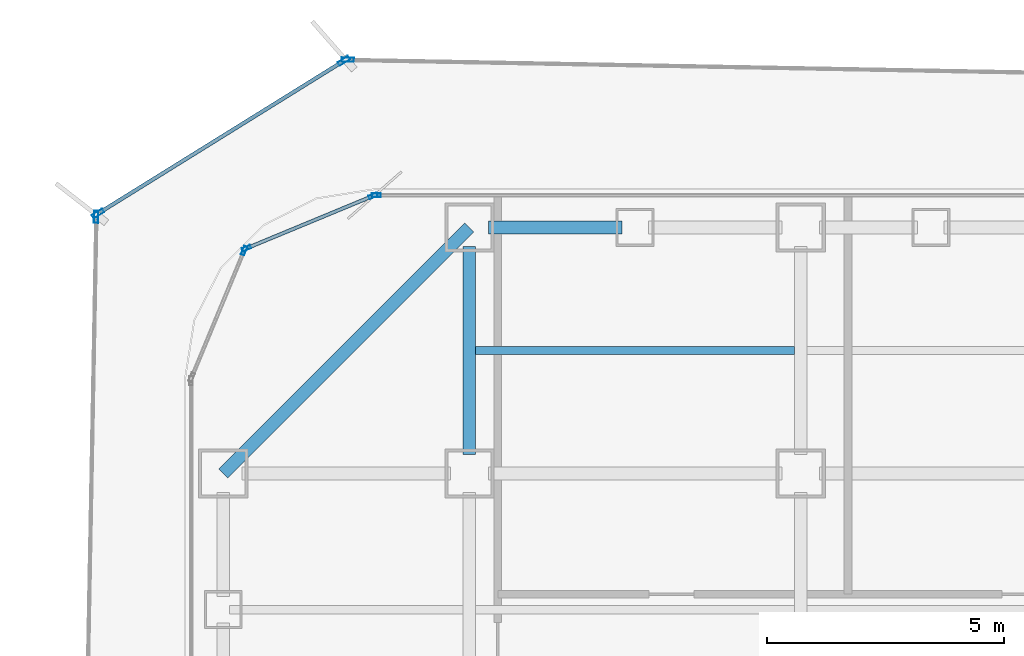
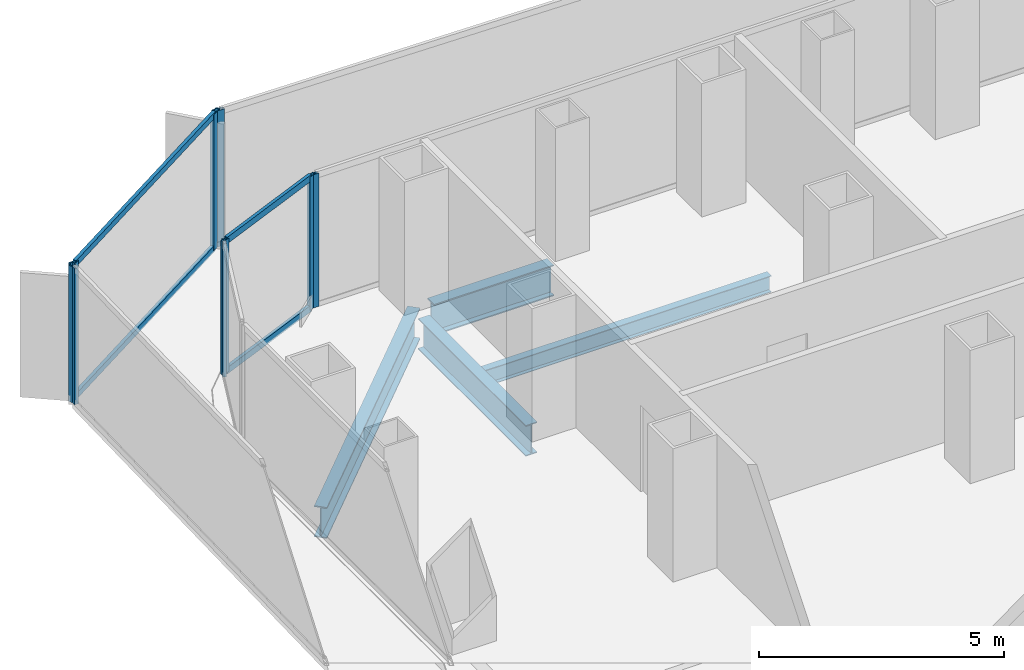
# One storey, part 11 of 22: 12 members, 4 beams, 6 elements without a shape of their own.
"""IFC4 building model written with IfcOpenShell, lengths in metres."""

from ifc_helpers import new_model, si_unit, direction, frame, origin, origin_2d, place, context, subcontext, project, spatial, hollow_rectangle, i_section, extrude, source, transform, mapped, material, layer, layer_set, material_profile, profile_set, type_object, element, aggregate, save


model = new_model("IFC4")

# Units and contexts
model_context = context("Model", 3, precision=1e-05, world=origin(), true_north=direction((0.0, 1.0)))
body_context = subcontext(model_context, "Body", "Model", "MODEL_VIEW")
ifc_project = project(units=[si_unit("LENGTHUNIT", "METRE"), si_unit("AREAUNIT", "SQUARE_METRE"), si_unit("VOLUMEUNIT", "CUBIC_METRE"), si_unit("PLANEANGLEUNIT", "RADIAN"), si_unit("MASSUNIT", "GRAM", prefix="KILO")], contexts=[model_context])

# Site, building, storey
site_placement = place(None, origin())
site = spatial("IfcSite", under=ifc_project, at=site_placement, CompositionType="ELEMENT")
building_placement = place(site_placement, origin())
building = spatial("IfcBuilding", under=site, at=building_placement, Name="Kolveth Station Tower", CompositionType="ELEMENT")
storey_placement = place(building_placement, frame((0.0, 0.0, 81.0)))
storey = spatial("IfcBuildingStorey", under=building, at=storey_placement, Name="L21", CompositionType="ELEMENT", Elevation=81.0)

# Beams
ifc_material_1 = material(Name="Steel S355", Category="steel")
ifc_material_profile_1 = material_profile(ifc_material_1, i_section(OverallWidth=0.26904296875, OverallDepth=0.77490234375, WebThickness=0.01708984375, FlangeThickness=0.0283203125, at=origin_2d()), Name="W760x220")
ifc_profile_set_1 = profile_set([ifc_material_profile_1], Name="Steel S355")
beam_type_1 = type_object("IfcBeamType", Name="Beam_SP1", PredefinedType="SPANDREL", material=ifc_profile_set_1)
shared_shape_1 = source(origin(), body_context, "Body", "SweptSolid", [
    extrude(i_section(OverallWidth=0.26904296875, OverallDepth=0.77490234375, WebThickness=0.01708984375, FlangeThickness=0.0283203125, at=origin_2d()), origin(), (0.0, 0.0, 1.0), 7.353759765625),
])
beam_1_placement = place(storey_placement, frame((6.0, 39.699951171875, -0.66748046875), z_axis=(-0.707106781187, -0.707106781187, 0.0), x_axis=(0.707106781187, -0.707106781187, 0.0)))
element("IfcBeam", 1, at=beam_1_placement, inside=storey, type_object=beam_type_1, Name="L21 Corner Edge Girder BM-L21-CNR-NW", PredefinedType="SPANDREL", context=body_context, shape_type="MappedRepresentation", body=[
    mapped(shared_shape_1, transform((0.0, 0.0, 0.0), x_axis=(1.0, 0.0, 0.0), y_axis=(0.0, 1.0, 0.0), z_axis=(0.0, 0.0, 1.0), scale=1.0)),
])
shared_shape_2 = source(origin(), body_context, "Body", "SweptSolid", [
    extrude(i_section(OverallWidth=0.26904296875, OverallDepth=0.77490234375, WebThickness=0.01708984375, FlangeThickness=0.0283203125, at=origin_2d()), origin(), (0.0, 0.0, 1.0), 2.820068359375),
])
beam_2_placement = place(storey_placement, frame((6.39990234375, 39.699951171875, -0.66748046875), z_axis=(1.0, 0.0, 0.0), x_axis=(0.0, 1.0, 0.0)))
element("IfcBeam", 2, at=beam_2_placement, inside=storey, type_object=beam_type_1, Name="L21 Perimeter Spandrel BM-L21-PN-1", PredefinedType="SPANDREL", context=body_context, shape_type="MappedRepresentation", body=[
    mapped(shared_shape_2, transform((0.0, 0.0, 0.0), x_axis=(1.0, 0.0, 0.0), y_axis=(0.0, 1.0, 0.0), z_axis=(0.0, 0.0, 1.0), scale=1.0)),
])
ifc_material_profile_2 = material_profile(ifc_material_1, i_section(OverallWidth=0.26708984375, OverallDepth=0.76611328125, WebThickness=0.014892578125, FlangeThickness=0.023681640625, at=origin_2d()), Name="W760x185")
ifc_profile_set_2 = profile_set([ifc_material_profile_2], Name="Steel S355")
beam_type_2 = type_object("IfcBeamType", Name="Beam_B3", PredefinedType="BEAM", material=ifc_profile_set_2)
shared_shape_3 = source(origin(), body_context, "Body", "SweptSolid", [
    extrude(i_section(OverallWidth=0.26708984375, OverallDepth=0.76611328125, WebThickness=0.014892578125, FlangeThickness=0.023681640625, at=origin_2d()), origin(), (0.0, 0.0, 1.0), 4.400146484375),
])
beam_3_placement = place(storey_placement, frame((6.0, 34.89990234375, -0.6630859375), z_axis=(0.0, 1.0, 0.0), x_axis=(-1.0, 0.0, 0.0)))
element("IfcBeam", 3, at=beam_3_placement, inside=storey, type_object=beam_type_2, Name="L21 Primary Girder BM-L21-GX60-7", PredefinedType="BEAM", context=body_context, shape_type="MappedRepresentation", body=[
    mapped(shared_shape_3, transform((0.0, 0.0, 0.0), x_axis=(1.0, 0.0, 0.0), y_axis=(0.0, 1.0, 0.0), z_axis=(0.0, 0.0, 1.0), scale=1.0)),
])
ifc_material_profile_3 = material_profile(ifc_material_1, i_section(OverallWidth=0.177978515625, OverallDepth=0.406982421875, WebThickness=0.0078125, FlangeThickness=0.0126953125, at=origin_2d()), Name="W410x60")
ifc_profile_set_3 = profile_set([ifc_material_profile_3], Name="Steel S355")
beam_type_3 = type_object("IfcBeamType", Name="Beam_J1", PredefinedType="JOIST", material=ifc_profile_set_3)
shared_shape_4 = source(origin(), body_context, "Body", "SweptSolid", [
    extrude(i_section(OverallWidth=0.177978515625, OverallDepth=0.406982421875, WebThickness=0.0078125, FlangeThickness=0.0126953125, at=origin_2d()), origin(), (0.0, 0.0, 1.0), 6.73681640625),
])
beam_4_placement = place(storey_placement, frame((6.131591796875, 37.10009765625, -0.4833984375), z_axis=(1.0, 0.0, 0.0), x_axis=(0.0, 1.0, 0.0)))
element("IfcBeam", 4, at=beam_4_placement, inside=storey, type_object=beam_type_3, Name="L21 Secondary Joist JST-L21-2-7", PredefinedType="JOIST", context=body_context, shape_type="MappedRepresentation", body=[
    mapped(shared_shape_4, transform((0.0, 0.0, 0.0), x_axis=(1.0, 0.0, 0.0), y_axis=(0.0, 1.0, 0.0), z_axis=(0.0, 0.0, 1.0), scale=1.0)),
])

# Curtain wall, member
ifc_material_2 = material(Name="Aluminium 6063-T6 and low-E dark glass", Category="aluminium")
ifc_layer_1 = layer(ifc_material_2, 0.179931640625)
ifc_layer_set_1 = layer_set([ifc_layer_1], Name="Aluminium 6063-T6 and low-E dark glass")
curtain_wall_type_1 = type_object("IfcCurtainWallType", Name="CurtainWall_CW-Z1", PredefinedType="NOTDEFINED", material=ifc_layer_set_1)
curtain_wall_1_placement = place(storey_placement, origin())
curtain_wall_1 = element("IfcCurtainWall", 5, at=curtain_wall_1_placement, inside=storey, type_object=curtain_wall_type_1, Name="L21 Inner Thermal Curtain Wall 6", PredefinedType="NOTDEFINED")
ifc_material_3 = material(Name="Black anodized aluminium 6063-T6", Category="aluminium")
ifc_material_profile_4 = material_profile(ifc_material_3, hollow_rectangle(XDim=0.074951171875, YDim=0.18994140625, WallThickness=0.0048828125, at=origin_2d()), Name="ALU-75x190x5")
ifc_profile_set_4 = profile_set([ifc_material_profile_4], Name="Black anodized aluminium 6063-T6")
member_type_1 = type_object("IfcMemberType", Name="Mullion_ML1", PredefinedType="MULLION", material=ifc_profile_set_4)
shared_shape_5 = source(origin(), body_context, "Body", "SweptSolid", [
    extrude(hollow_rectangle(XDim=0.074951171875, YDim=0.18994140625, WallThickness=0.0048828125, at=origin_2d()), origin(), (0.0, 0.0, 1.0), 3.320068359375),
])
member_1_placement = place(storey_placement, frame((4.03759765625, 40.3798828125, 0.0), z_axis=(0.0, 0.0, 1.0), x_axis=(0.0, -1.0, 0.0)))
member_1 = element("IfcMember", 6, at=member_1_placement, type_object=member_type_1, Name="CW-Z1 mullion 3", PredefinedType="MULLION", context=body_context, shape_type="MappedRepresentation", body=[
    mapped(shared_shape_5, transform((0.0, 0.0, 0.0), x_axis=(1.0, 0.0, 0.0), y_axis=(0.0, 1.0, 0.0), z_axis=(0.0, 0.0, 1.0), scale=1.0)),
])
aggregate(curtain_wall_1, [member_1])

# Curtain wall, members
curtain_wall_2_placement = place(storey_placement, origin())
curtain_wall_2 = element("IfcCurtainWall", 7, at=curtain_wall_2_placement, inside=storey, type_object=curtain_wall_type_1, Name="L21 Inner Thermal Curtain Wall 7", PredefinedType="NOTDEFINED")
member_2_placement = place(storey_placement, frame((3.96533203125, 40.36572265625, 0.0), z_axis=(0.0, 0.0, 1.0), x_axis=(0.382672990201, -0.923883857728, 0.0)))
member_2 = element("IfcMember", 8, at=member_2_placement, type_object=member_type_1, Name="CW-Z1 mullion 1", PredefinedType="MULLION", context=body_context, shape_type="MappedRepresentation", body=[
    mapped(shared_shape_5, transform((0.0, 0.0, 0.0), x_axis=(1.0, 0.0, 0.0), y_axis=(0.0, 1.0, 0.0), z_axis=(0.0, 0.0, 1.0), scale=1.0)),
])
member_3_placement = place(storey_placement, frame((1.291015625, 39.258056640625, 0.0), z_axis=(0.0, 0.0, 1.0), x_axis=(0.382672990201, -0.923883857728, 0.0)))
member_3 = element("IfcMember", 9, at=member_3_placement, type_object=member_type_1, Name="CW-Z1 mullion 2", PredefinedType="MULLION", context=body_context, shape_type="MappedRepresentation", body=[
    mapped(shared_shape_5, transform((0.0, 0.0, 0.0), x_axis=(1.0, 0.0, 0.0), y_axis=(0.0, 1.0, 0.0), z_axis=(0.0, 0.0, 1.0), scale=1.0)),
])

# Curtain wall, member
curtain_wall_3_placement = place(storey_placement, origin())
curtain_wall_3 = element("IfcCurtainWall", 10, at=curtain_wall_3_placement, inside=storey, type_object=curtain_wall_type_1, Name="L21 Inner Thermal Curtain Wall 8", PredefinedType="NOTDEFINED")
member_4_placement = place(storey_placement, frame((1.241943359375, 39.208984375, 0.0), z_axis=(0.0, 0.0, 1.0), x_axis=(0.923883857728, -0.382672990201, 0.0)))
member_4 = element("IfcMember", 11, at=member_4_placement, type_object=member_type_1, Name="CW-Z1 mullion 1", PredefinedType="MULLION", context=body_context, shape_type="MappedRepresentation", body=[
    mapped(shared_shape_5, transform((0.0, 0.0, 0.0), x_axis=(1.0, 0.0, 0.0), y_axis=(0.0, 1.0, 0.0), z_axis=(0.0, 0.0, 1.0), scale=1.0)),
])
aggregate(curtain_wall_3, [member_4])

# Member
ifc_material_profile_5 = material_profile(ifc_material_3, hollow_rectangle(XDim=0.074951171875, YDim=0.159912109375, WallThickness=0.0048828125, at=origin_2d()), Name="ALU-75x160x5")
ifc_profile_set_5 = profile_set([ifc_material_profile_5], Name="Black anodized aluminium 6063-T6")
member_type_2 = type_object("IfcMemberType", Name="Transom_TR1", PredefinedType="USERDEFINED", material=ifc_profile_set_5)
shared_shape_6 = source(origin(), body_context, "Body", "SweptSolid", [
    extrude(hollow_rectangle(XDim=0.074951171875, YDim=0.159912109375, WallThickness=0.0048828125, at=origin_2d()), origin(), (0.0, 0.0, 1.0), 2.819580078125),
])
member_5_placement = place(storey_placement, frame((3.9306640625, 40.351318359375, 0.03759765625), z_axis=(-0.923869084389, -0.382708655389, 0.0), x_axis=(0.382708655389, -0.923869084389, 0.0)))
member_5 = element("IfcMember", 12, at=member_5_placement, type_object=member_type_2, Name="CW-Z1 transom 1.1", ObjectType="TRANSOM", PredefinedType="USERDEFINED", context=body_context, shape_type="MappedRepresentation", body=[
    mapped(shared_shape_6, transform((0.0, 0.0, 0.0), x_axis=(1.0, 0.0, 0.0), y_axis=(0.0, 1.0, 0.0), z_axis=(0.0, 0.0, 1.0), scale=1.0)),
])

member_6_placement = place(storey_placement, frame((3.9306640625, 40.351318359375, 3.282470703125), z_axis=(-0.923869084389, -0.382708655389, 0.0), x_axis=(0.382708655389, -0.923869084389, 0.0)))
member_6 = element("IfcMember", 13, at=member_6_placement, type_object=member_type_2, Name="CW-Z1 transom 1.2", ObjectType="TRANSOM", PredefinedType="USERDEFINED", context=body_context, shape_type="MappedRepresentation", body=[
    mapped(shared_shape_6, transform((0.0, 0.0, 0.0), x_axis=(1.0, 0.0, 0.0), y_axis=(0.0, 1.0, 0.0), z_axis=(0.0, 0.0, 1.0), scale=1.0)),
])

aggregate(curtain_wall_2, [member_2, member_3, member_5, member_6])

# Curtain wall, member
ifc_material_4 = material(Name="Black anodized aluminium 6063-T6 and dark solar glass", Category="aluminium")
ifc_layer_2 = layer(ifc_material_4, 0.159912109375)
ifc_layer_set_2 = layer_set([ifc_layer_2], Name="Black anodized aluminium 6063-T6 and dark solar glass")
curtain_wall_type_2 = type_object("IfcCurtainWallType", Name="OUTER SKIN CW-OS", PredefinedType="NOTDEFINED", material=ifc_layer_set_2)
curtain_wall_4_placement = place(storey_placement, origin())
curtain_wall_4 = element("IfcCurtainWall", 14, at=curtain_wall_4_placement, inside=storey, type_object=curtain_wall_type_2, Name="L21 Outer Ventilated Skin Curtain Wall 4", PredefinedType="NOTDEFINED")
ifc_material_profile_6 = material_profile(ifc_material_3, hollow_rectangle(XDim=0.090087890625, YDim=0.260009765625, WallThickness=0.0048828125, at=origin_2d()), Name="ALU-90x260x5")
ifc_profile_set_6 = profile_set([ifc_material_profile_6], Name="Black anodized aluminium 6063-T6")
member_type_3 = type_object("IfcMemberType", Name="FIN MULLION ML-OS", PredefinedType="MULLION", material=ifc_profile_set_6)
shared_shape_7 = source(origin(), body_context, "Body", "SweptSolid", [
    extrude(hollow_rectangle(XDim=0.090087890625, YDim=0.260009765625, WallThickness=0.0048828125, at=origin_2d()), origin(), (0.0, 0.0, 1.0), 3.389892578125),
])
member_7_placement = place(storey_placement, frame((3.43212890625, 43.24267578125, 0.0), z_axis=(0.0, 0.0, 1.0), x_axis=(-0.018428993144, -0.999830171685, 0.0)))
member_7 = element("IfcMember", 15, at=member_7_placement, type_object=member_type_3, Name="CW-OS mullion 2", PredefinedType="MULLION", context=body_context, shape_type="MappedRepresentation", body=[
    mapped(shared_shape_7, transform((0.0, 0.0, 0.0), x_axis=(1.0, 0.0, 0.0), y_axis=(0.0, 1.0, 0.0), z_axis=(0.0, 0.0, 1.0), scale=1.0)),
])
aggregate(curtain_wall_4, [member_7])

# Curtain wall, members
curtain_wall_5_placement = place(storey_placement, origin())
curtain_wall_5 = element("IfcCurtainWall", 16, at=curtain_wall_5_placement, inside=storey, type_object=curtain_wall_type_2, Name="L21 Outer Ventilated Skin Curtain Wall 5", PredefinedType="NOTDEFINED")
member_8_placement = place(storey_placement, frame((3.348876953125, 43.219970703125, 0.0), z_axis=(0.0, 0.0, 1.0), x_axis=(0.527653608488, -0.849459633797, 0.0)))
member_8 = element("IfcMember", 17, at=member_8_placement, type_object=member_type_3, Name="CW-OS mullion 1", PredefinedType="MULLION", context=body_context, shape_type="MappedRepresentation", body=[
    mapped(shared_shape_7, transform((0.0, 0.0, 0.0), x_axis=(1.0, 0.0, 0.0), y_axis=(0.0, 1.0, 0.0), z_axis=(0.0, 0.0, 1.0), scale=1.0)),
])
member_9_placement = place(storey_placement, frame((-1.846923828125, 39.992431640625, 0.0), z_axis=(0.0, 0.0, 1.0), x_axis=(0.527653608488, -0.849459633797, 0.0)))
member_9 = element("IfcMember", 18, at=member_9_placement, type_object=member_type_3, Name="CW-OS mullion 2", PredefinedType="MULLION", context=body_context, shape_type="MappedRepresentation", body=[
    mapped(shared_shape_7, transform((0.0, 0.0, 0.0), x_axis=(1.0, 0.0, 0.0), y_axis=(0.0, 1.0, 0.0), z_axis=(0.0, 0.0, 1.0), scale=1.0)),
])

# Curtain wall, member
curtain_wall_6_placement = place(storey_placement, origin())
curtain_wall_6 = element("IfcCurtainWall", 19, at=curtain_wall_6_placement, inside=storey, type_object=curtain_wall_type_2, Name="L21 Outer Ventilated Skin Curtain Wall 6", PredefinedType="NOTDEFINED")
member_10_placement = place(storey_placement, frame((-1.885986328125, 39.923828125, 0.0), z_axis=(0.0, 0.0, 1.0), x_axis=(0.999826047581, -0.01865139618, 0.0)))
member_10 = element("IfcMember", 20, at=member_10_placement, type_object=member_type_3, Name="CW-OS mullion 1", PredefinedType="MULLION", context=body_context, shape_type="MappedRepresentation", body=[
    mapped(shared_shape_7, transform((0.0, 0.0, 0.0), x_axis=(1.0, 0.0, 0.0), y_axis=(0.0, 1.0, 0.0), z_axis=(0.0, 0.0, 1.0), scale=1.0)),
])
aggregate(curtain_wall_6, [member_10])

# Member
ifc_material_profile_7 = material_profile(ifc_material_3, hollow_rectangle(XDim=0.080078125, YDim=0.14990234375, WallThickness=0.0048828125, at=origin_2d()), Name="ALU-80x150x5")
ifc_profile_set_7 = profile_set([ifc_material_profile_7], Name="Black anodized aluminium 6063-T6")
member_type_4 = type_object("IfcMemberType", Name="Transom_TR-OS", PredefinedType="USERDEFINED", material=ifc_profile_set_7)
shared_shape_8 = source(origin(), body_context, "Body", "SweptSolid", [
    extrude(hollow_rectangle(XDim=0.080078125, YDim=0.14990234375, WallThickness=0.0048828125, at=origin_2d()), origin(), (0.0, 0.0, 1.0), 6.0263671875),
])
member_11_placement = place(storey_placement, frame((3.310546875, 43.196044921875, 0.0400390625), z_axis=(-0.849451705963, -0.527666371145, 0.0), x_axis=(0.527666371145, -0.849451705963, 0.0)))
member_11 = element("IfcMember", 21, at=member_11_placement, type_object=member_type_4, Name="CW-OS transom 1.1", ObjectType="TRANSOM", PredefinedType="USERDEFINED", context=body_context, shape_type="MappedRepresentation", body=[
    mapped(shared_shape_8, transform((0.0, 0.0, 0.0), x_axis=(1.0, 0.0, 0.0), y_axis=(0.0, 1.0, 0.0), z_axis=(0.0, 0.0, 1.0), scale=1.0)),
])

member_12_placement = place(storey_placement, frame((3.310546875, 43.196044921875, 3.35009765625), z_axis=(-0.849451705963, -0.527666371145, 0.0), x_axis=(0.527666371145, -0.849451705963, 0.0)))
member_12 = element("IfcMember", 22, at=member_12_placement, type_object=member_type_4, Name="CW-OS transom 1.2", ObjectType="TRANSOM", PredefinedType="USERDEFINED", context=body_context, shape_type="MappedRepresentation", body=[
    mapped(shared_shape_8, transform((0.0, 0.0, 0.0), x_axis=(1.0, 0.0, 0.0), y_axis=(0.0, 1.0, 0.0), z_axis=(0.0, 0.0, 1.0), scale=1.0)),
])

aggregate(curtain_wall_5, [member_8, member_9, member_11, member_12])

save(model, "model.ifc")
